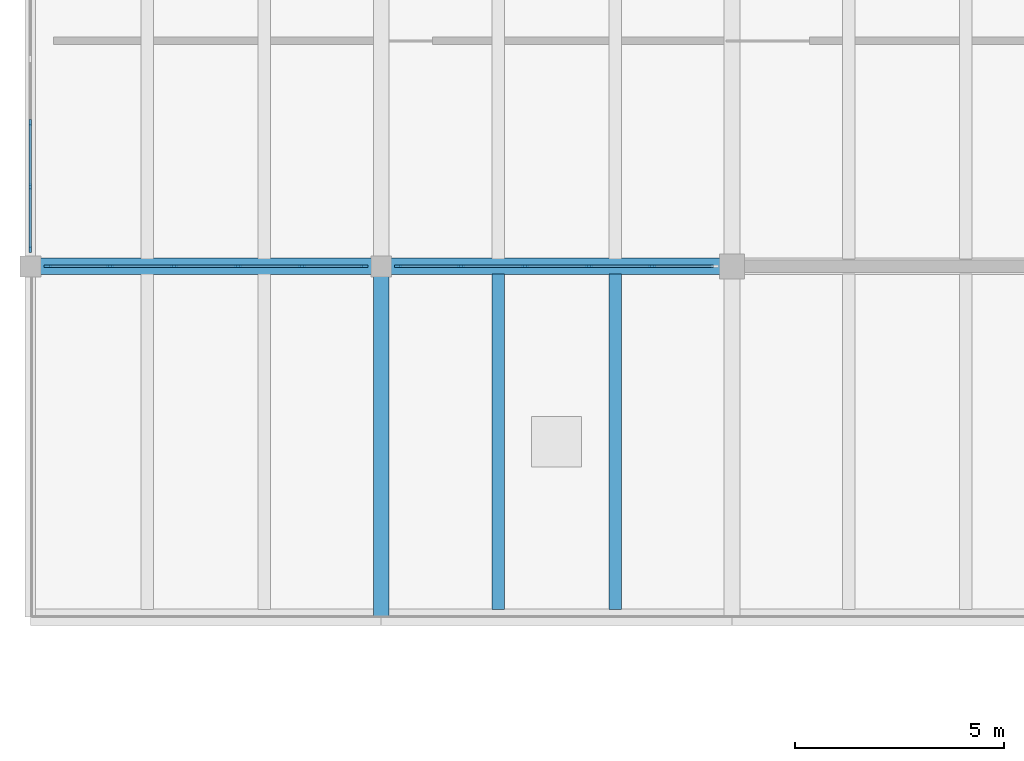
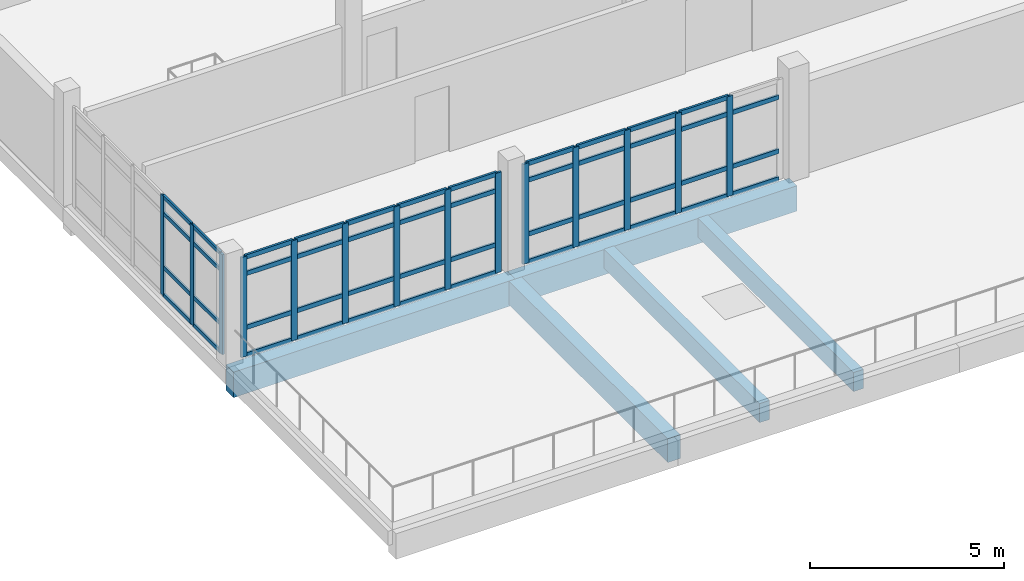
# One storey, part 8 of 50: 61 members, 5 beams, 3 elements without a shape of their own.
"""IFC4 building model written with IfcOpenShell, lengths in metres."""

from ifc_helpers import new_model, si_unit, direction, frame, origin, origin_2d, place, context, subcontext, project, spatial, rectangle, extrude, material, material_profile, profile_set, type_object, element, aggregate, save


model = new_model("IFC4")

# Units and contexts
model_context = context("Model", 3, precision=1e-05, world=origin(), true_north=direction((0.0, 1.0)))
body_context = subcontext(model_context, "Body", "Model", "MODEL_VIEW")
ifc_project = project(units=[si_unit("LENGTHUNIT", "METRE"), si_unit("AREAUNIT", "SQUARE_METRE"), si_unit("VOLUMEUNIT", "CUBIC_METRE"), si_unit("PLANEANGLEUNIT", "RADIAN"), si_unit("MASSUNIT", "GRAM", prefix="KILO")], contexts=[model_context])

# Site, building, storey
site_placement = place(None, origin())
site = spatial("IfcSite", under=ifc_project, at=site_placement, CompositionType="ELEMENT")
building_placement = place(site_placement, origin())
building = spatial("IfcBuilding", under=site, at=building_placement, Name="Cinderway Yard Community Centre", CompositionType="ELEMENT")
storey_placement = place(building_placement, frame((0.0, 0.0, 12.89990234375)))
storey = spatial("IfcBuildingStorey", under=building, at=storey_placement, Name="L03", CompositionType="ELEMENT", Elevation=12.89990234375)

# Curtain wall, members
ifc_material_1 = material(Name="Aluminium 6063-T6", Category="aluminium")
curtain_wall_type = type_object("IfcCurtainWallType", Name="ENV-CW-TYPE-32", PredefinedType="USERDEFINED", material=ifc_material_1)
curtain_wall_1_placement = place(storey_placement, origin())
curtain_wall_1 = element("IfcCurtainWall", 1, at=curtain_wall_1_placement, inside=storey, type_object=curtain_wall_type, Name="V4 West End Curtain Wall ENV-CW-L03-ST-0174", ObjectType="GLAZED CURTAIN WALL", PredefinedType="USERDEFINED")
ifc_material_profile_1 = material_profile(ifc_material_1, rectangle(XDim=0.06005859375, YDim=0.159912109375, at=origin_2d()), Name="Aluminium 6063-T6")
ifc_profile_set_1 = profile_set([ifc_material_profile_1], Name="Aluminium 6063-T6")
member_type_1 = type_object("IfcMemberType", Name="ENV-CW-MULL-150", PredefinedType="MULLION", material=ifc_profile_set_1)
member_1_placement = place(storey_placement, frame((41.60009765625, 98.81005859375, 0.0), z_axis=(0.0, 0.0, 1.0), x_axis=(-1.0, 0.0, 0.0)))
member_1 = element("IfcMember", 2, at=member_1_placement, type_object=member_type_1, Name="CW-32 mullion 1", PredefinedType="MULLION", context=body_context, shape_type="SweptSolid", body=[
    extrude(rectangle(XDim=0.06005859375, YDim=0.159912109375, at=origin_2d()), origin(), (0.0, 0.0, 1.0), 3.150146484375),
])
member_2_placement = place(storey_placement, frame((41.60009765625, 100.30810546875, 0.0), z_axis=(0.0, 0.0, 1.0), x_axis=(-1.0, 0.0, 0.0)))
member_2 = element("IfcMember", 3, at=member_2_placement, type_object=member_type_1, Name="CW-32 mullion 2", PredefinedType="MULLION", context=body_context, shape_type="SweptSolid", body=[
    extrude(rectangle(XDim=0.06005859375, YDim=0.159912109375, at=origin_2d()), origin(), (0.0, 0.0, 1.0), 3.150146484375),
])
member_3_placement = place(storey_placement, frame((41.60009765625, 101.8359375, 0.0), z_axis=(0.0, 0.0, 1.0), x_axis=(-1.0, 0.0, 0.0)))
member_3 = element("IfcMember", 4, at=member_3_placement, type_object=member_type_1, Name="CW-32 mullion 3", PredefinedType="MULLION", context=body_context, shape_type="SweptSolid", body=[
    extrude(rectangle(XDim=0.06005859375, YDim=0.159912109375, at=origin_2d()), origin(), (0.0, 0.0, 1.0), 3.150146484375),
])

curtain_wall_2_placement = place(storey_placement, origin())
curtain_wall_2 = element("IfcCurtainWall", 5, at=curtain_wall_2_placement, inside=storey, type_object=curtain_wall_type, Name="V4 Courtyard Curtain Wall ENV-CW-L03-HS-0160", ObjectType="GLAZED CURTAIN WALL", PredefinedType="USERDEFINED")
ifc_material_profile_2 = material_profile(ifc_material_1, rectangle(XDim=0.06494140625, YDim=0.179931640625, at=origin_2d()), Name="Aluminium 6063-T6")
ifc_profile_set_2 = profile_set([ifc_material_profile_2], Name="Aluminium 6063-T6")
member_type_2 = type_object("IfcMemberType", Name="ENV-CW-MULL-180", PredefinedType="MULLION", material=ifc_profile_set_2)
member_4_placement = place(storey_placement, frame((42.010009765625, 98.39990234375, 0.0), z_axis=(0.0, 0.0, 1.0), x_axis=(0.0, 1.0, 0.0)))
member_4 = element("IfcMember", 6, at=member_4_placement, type_object=member_type_2, Name="CW-32 mullion 1", PredefinedType="MULLION", context=body_context, shape_type="SweptSolid", body=[
    extrude(rectangle(XDim=0.06494140625, YDim=0.179931640625, at=origin_2d()), origin(), (0.0, 0.0, 1.0), 3.150146484375),
])
member_5_placement = place(storey_placement, frame((43.508056640625, 98.39990234375, 0.0), z_axis=(0.0, 0.0, 1.0), x_axis=(0.0, 1.0, 0.0)))
member_5 = element("IfcMember", 7, at=member_5_placement, type_object=member_type_2, Name="CW-32 mullion 2", PredefinedType="MULLION", context=body_context, shape_type="SweptSolid", body=[
    extrude(rectangle(XDim=0.06494140625, YDim=0.179931640625, at=origin_2d()), origin(), (0.0, 0.0, 1.0), 3.150146484375),
])
member_6_placement = place(storey_placement, frame((45.035888671875, 98.39990234375, 0.0), z_axis=(0.0, 0.0, 1.0), x_axis=(0.0, 1.0, 0.0)))
member_6 = element("IfcMember", 8, at=member_6_placement, type_object=member_type_2, Name="CW-32 mullion 3", PredefinedType="MULLION", context=body_context, shape_type="SweptSolid", body=[
    extrude(rectangle(XDim=0.06494140625, YDim=0.179931640625, at=origin_2d()), origin(), (0.0, 0.0, 1.0), 3.150146484375),
])
member_7_placement = place(storey_placement, frame((46.56396484375, 98.39990234375, 0.0), z_axis=(0.0, 0.0, 1.0), x_axis=(0.0, 1.0, 0.0)))
member_7 = element("IfcMember", 9, at=member_7_placement, type_object=member_type_2, Name="CW-32 mullion 4", PredefinedType="MULLION", context=body_context, shape_type="SweptSolid", body=[
    extrude(rectangle(XDim=0.06494140625, YDim=0.179931640625, at=origin_2d()), origin(), (0.0, 0.0, 1.0), 3.150146484375),
])
member_8_placement = place(storey_placement, frame((48.092041015625, 98.39990234375, 0.0), z_axis=(0.0, 0.0, 1.0), x_axis=(0.0, 1.0, 0.0)))
member_8 = element("IfcMember", 10, at=member_8_placement, type_object=member_type_2, Name="CW-32 mullion 5", PredefinedType="MULLION", context=body_context, shape_type="SweptSolid", body=[
    extrude(rectangle(XDim=0.06494140625, YDim=0.179931640625, at=origin_2d()), origin(), (0.0, 0.0, 1.0), 3.150146484375),
])
member_9_placement = place(storey_placement, frame((49.590087890625, 98.39990234375, 0.0), z_axis=(0.0, 0.0, 1.0), x_axis=(0.0, 1.0, 0.0)))
member_9 = element("IfcMember", 11, at=member_9_placement, type_object=member_type_2, Name="CW-32 mullion 6", PredefinedType="MULLION", context=body_context, shape_type="SweptSolid", body=[
    extrude(rectangle(XDim=0.06494140625, YDim=0.179931640625, at=origin_2d()), origin(), (0.0, 0.0, 1.0), 3.150146484375),
])

curtain_wall_3_placement = place(storey_placement, origin())
curtain_wall_3 = element("IfcCurtainWall", 12, at=curtain_wall_3_placement, inside=storey, type_object=curtain_wall_type, Name="V4 Courtyard Curtain Wall ENV-CW-L03-HS-0162", ObjectType="GLAZED CURTAIN WALL", PredefinedType="USERDEFINED")
member_10_placement = place(storey_placement, frame((50.409912109375, 98.39990234375, 0.0), z_axis=(0.0, 0.0, 1.0), x_axis=(0.0, 1.0, 0.0)))
member_10 = element("IfcMember", 13, at=member_10_placement, type_object=member_type_2, Name="CW-32 mullion 1", PredefinedType="MULLION", context=body_context, shape_type="SweptSolid", body=[
    extrude(rectangle(XDim=0.06494140625, YDim=0.179931640625, at=origin_2d()), origin(), (0.0, 0.0, 1.0), 3.150146484375),
])
member_11_placement = place(storey_placement, frame((51.907958984375, 98.39990234375, 0.0), z_axis=(0.0, 0.0, 1.0), x_axis=(0.0, 1.0, 0.0)))
member_11 = element("IfcMember", 14, at=member_11_placement, type_object=member_type_2, Name="CW-32 mullion 2", PredefinedType="MULLION", context=body_context, shape_type="SweptSolid", body=[
    extrude(rectangle(XDim=0.06494140625, YDim=0.179931640625, at=origin_2d()), origin(), (0.0, 0.0, 1.0), 3.150146484375),
])
member_12_placement = place(storey_placement, frame((53.43603515625, 98.39990234375, 0.0), z_axis=(0.0, 0.0, 1.0), x_axis=(0.0, 1.0, 0.0)))
member_12 = element("IfcMember", 15, at=member_12_placement, type_object=member_type_2, Name="CW-32 mullion 3", PredefinedType="MULLION", context=body_context, shape_type="SweptSolid", body=[
    extrude(rectangle(XDim=0.06494140625, YDim=0.179931640625, at=origin_2d()), origin(), (0.0, 0.0, 1.0), 3.150146484375),
])
member_13_placement = place(storey_placement, frame((54.964111328125, 98.39990234375, 0.0), z_axis=(0.0, 0.0, 1.0), x_axis=(0.0, 1.0, 0.0)))
member_13 = element("IfcMember", 16, at=member_13_placement, type_object=member_type_2, Name="CW-32 mullion 4", PredefinedType="MULLION", context=body_context, shape_type="SweptSolid", body=[
    extrude(rectangle(XDim=0.06494140625, YDim=0.179931640625, at=origin_2d()), origin(), (0.0, 0.0, 1.0), 3.150146484375),
])
member_14_placement = place(storey_placement, frame((56.491943359375, 98.39990234375, 0.0), z_axis=(0.0, 0.0, 1.0), x_axis=(0.0, 1.0, 0.0)))
member_14 = element("IfcMember", 17, at=member_14_placement, type_object=member_type_2, Name="CW-32 mullion 5", PredefinedType="MULLION", context=body_context, shape_type="SweptSolid", body=[
    extrude(rectangle(XDim=0.06494140625, YDim=0.179931640625, at=origin_2d()), origin(), (0.0, 0.0, 1.0), 3.150146484375),
])

# Member
ifc_material_profile_3 = material_profile(ifc_material_1, rectangle(XDim=0.06005859375, YDim=0.1201171875, at=origin_2d()), Name="Aluminium 6063-T6")
ifc_profile_set_3 = profile_set([ifc_material_profile_3], Name="Aluminium 6063-T6")
member_type_3 = type_object("IfcMemberType", Name="ENV-CW-TRAN-110", PredefinedType="USERDEFINED", material=ifc_profile_set_3)
member_15_placement = place(storey_placement, frame((41.60009765625, 98.840087890625, 0.030029296875), z_axis=(0.0, 1.0, 0.0), x_axis=(-1.0, 0.0, 0.0)))
member_15 = element("IfcMember", 18, at=member_15_placement, type_object=member_type_3, Name="CW-32 transom 1.1", ObjectType="TRANSOM", PredefinedType="USERDEFINED", context=body_context, shape_type="SweptSolid", body=[
    extrude(rectangle(XDim=0.06005859375, YDim=0.1201171875, at=origin_2d()), origin(), (0.0, 0.0, 1.0), 1.43798828125),
])

member_16_placement = place(storey_placement, frame((41.60009765625, 98.840087890625, 0.900146484375), z_axis=(0.0, 1.0, 0.0), x_axis=(-1.0, 0.0, 0.0)))
member_16 = element("IfcMember", 19, at=member_16_placement, type_object=member_type_3, Name="CW-32 transom 1.2", ObjectType="TRANSOM", PredefinedType="USERDEFINED", context=body_context, shape_type="SweptSolid", body=[
    extrude(rectangle(XDim=0.06005859375, YDim=0.1201171875, at=origin_2d()), origin(), (0.0, 0.0, 1.0), 1.43798828125),
])

member_17_placement = place(storey_placement, frame((41.60009765625, 98.840087890625, 2.60009765625), z_axis=(0.0, 1.0, 0.0), x_axis=(-1.0, 0.0, 0.0)))
member_17 = element("IfcMember", 20, at=member_17_placement, type_object=member_type_3, Name="CW-32 transom 1.3", ObjectType="TRANSOM", PredefinedType="USERDEFINED", context=body_context, shape_type="SweptSolid", body=[
    extrude(rectangle(XDim=0.06005859375, YDim=0.1201171875, at=origin_2d()), origin(), (0.0, 0.0, 1.0), 1.43798828125),
])

member_18_placement = place(storey_placement, frame((41.60009765625, 98.840087890625, 3.1201171875), z_axis=(0.0, 1.0, 0.0), x_axis=(-1.0, 0.0, 0.0)))
member_18 = element("IfcMember", 21, at=member_18_placement, type_object=member_type_3, Name="CW-32 transom 1.4", ObjectType="TRANSOM", PredefinedType="USERDEFINED", context=body_context, shape_type="SweptSolid", body=[
    extrude(rectangle(XDim=0.06005859375, YDim=0.1201171875, at=origin_2d()), origin(), (0.0, 0.0, 1.0), 1.43798828125),
])

member_19_placement = place(storey_placement, frame((41.60009765625, 100.337890625, 0.030029296875), z_axis=(0.0, 1.0, 0.0), x_axis=(-1.0, 0.0, 0.0)))
member_19 = element("IfcMember", 22, at=member_19_placement, type_object=member_type_3, Name="CW-32 transom 2.1", ObjectType="TRANSOM", PredefinedType="USERDEFINED", context=body_context, shape_type="SweptSolid", body=[
    extrude(rectangle(XDim=0.06005859375, YDim=0.1201171875, at=origin_2d()), origin(), (0.0, 0.0, 1.0), 1.468017578125),
])

member_20_placement = place(storey_placement, frame((41.60009765625, 100.337890625, 0.900146484375), z_axis=(0.0, 1.0, 0.0), x_axis=(-1.0, 0.0, 0.0)))
member_20 = element("IfcMember", 23, at=member_20_placement, type_object=member_type_3, Name="CW-32 transom 2.2", ObjectType="TRANSOM", PredefinedType="USERDEFINED", context=body_context, shape_type="SweptSolid", body=[
    extrude(rectangle(XDim=0.06005859375, YDim=0.1201171875, at=origin_2d()), origin(), (0.0, 0.0, 1.0), 1.468017578125),
])

member_21_placement = place(storey_placement, frame((41.60009765625, 100.337890625, 2.60009765625), z_axis=(0.0, 1.0, 0.0), x_axis=(-1.0, 0.0, 0.0)))
member_21 = element("IfcMember", 24, at=member_21_placement, type_object=member_type_3, Name="CW-32 transom 2.3", ObjectType="TRANSOM", PredefinedType="USERDEFINED", context=body_context, shape_type="SweptSolid", body=[
    extrude(rectangle(XDim=0.06005859375, YDim=0.1201171875, at=origin_2d()), origin(), (0.0, 0.0, 1.0), 1.468017578125),
])

member_22_placement = place(storey_placement, frame((41.60009765625, 100.337890625, 3.1201171875), z_axis=(0.0, 1.0, 0.0), x_axis=(-1.0, 0.0, 0.0)))
member_22 = element("IfcMember", 25, at=member_22_placement, type_object=member_type_3, Name="CW-32 transom 2.4", ObjectType="TRANSOM", PredefinedType="USERDEFINED", context=body_context, shape_type="SweptSolid", body=[
    extrude(rectangle(XDim=0.06005859375, YDim=0.1201171875, at=origin_2d()), origin(), (0.0, 0.0, 1.0), 1.468017578125),
])

aggregate(curtain_wall_1, [member_1, member_2, member_3, member_15, member_16, member_17, member_18, member_19, member_20, member_21, member_22])

ifc_material_profile_4 = material_profile(ifc_material_1, rectangle(XDim=0.06494140625, YDim=0.139892578125, at=origin_2d()), Name="Aluminium 6063-T6")
ifc_profile_set_4 = profile_set([ifc_material_profile_4], Name="Aluminium 6063-T6")
member_type_4 = type_object("IfcMemberType", Name="ENV-CW-TRAN-140", PredefinedType="USERDEFINED", material=ifc_profile_set_4)
member_23_placement = place(storey_placement, frame((42.0400390625, 98.39990234375, 0.030029296875), z_axis=(1.0, 0.0, 0.0), x_axis=(0.0, 1.0, 0.0)))
member_23 = element("IfcMember", 26, at=member_23_placement, type_object=member_type_4, Name="CW-32 transom 1.1", ObjectType="TRANSOM", PredefinedType="USERDEFINED", context=body_context, shape_type="SweptSolid", body=[
    extrude(rectangle(XDim=0.06494140625, YDim=0.139892578125, at=origin_2d()), origin(), (0.0, 0.0, 1.0), 1.43798828125),
])

member_24_placement = place(storey_placement, frame((42.0400390625, 98.39990234375, 0.900146484375), z_axis=(1.0, 0.0, 0.0), x_axis=(0.0, 1.0, 0.0)))
member_24 = element("IfcMember", 27, at=member_24_placement, type_object=member_type_4, Name="CW-32 transom 1.2", ObjectType="TRANSOM", PredefinedType="USERDEFINED", context=body_context, shape_type="SweptSolid", body=[
    extrude(rectangle(XDim=0.06494140625, YDim=0.139892578125, at=origin_2d()), origin(), (0.0, 0.0, 1.0), 1.43798828125),
])

member_25_placement = place(storey_placement, frame((42.0400390625, 98.39990234375, 2.60009765625), z_axis=(1.0, 0.0, 0.0), x_axis=(0.0, 1.0, 0.0)))
member_25 = element("IfcMember", 28, at=member_25_placement, type_object=member_type_4, Name="CW-32 transom 1.3", ObjectType="TRANSOM", PredefinedType="USERDEFINED", context=body_context, shape_type="SweptSolid", body=[
    extrude(rectangle(XDim=0.06494140625, YDim=0.139892578125, at=origin_2d()), origin(), (0.0, 0.0, 1.0), 1.43798828125),
])

member_26_placement = place(storey_placement, frame((42.0400390625, 98.39990234375, 3.1201171875), z_axis=(1.0, 0.0, 0.0), x_axis=(0.0, 1.0, 0.0)))
member_26 = element("IfcMember", 29, at=member_26_placement, type_object=member_type_4, Name="CW-32 transom 1.4", ObjectType="TRANSOM", PredefinedType="USERDEFINED", context=body_context, shape_type="SweptSolid", body=[
    extrude(rectangle(XDim=0.06494140625, YDim=0.139892578125, at=origin_2d()), origin(), (0.0, 0.0, 1.0), 1.43798828125),
])

member_27_placement = place(storey_placement, frame((43.5380859375, 98.39990234375, 0.030029296875), z_axis=(1.0, 0.0, 0.0), x_axis=(0.0, 1.0, 0.0)))
member_27 = element("IfcMember", 30, at=member_27_placement, type_object=member_type_4, Name="CW-32 transom 2.1", ObjectType="TRANSOM", PredefinedType="USERDEFINED", context=body_context, shape_type="SweptSolid", body=[
    extrude(rectangle(XDim=0.06494140625, YDim=0.139892578125, at=origin_2d()), origin(), (0.0, 0.0, 1.0), 1.468017578125),
])

member_28_placement = place(storey_placement, frame((43.5380859375, 98.39990234375, 0.900146484375), z_axis=(1.0, 0.0, 0.0), x_axis=(0.0, 1.0, 0.0)))
member_28 = element("IfcMember", 31, at=member_28_placement, type_object=member_type_4, Name="CW-32 transom 2.2", ObjectType="TRANSOM", PredefinedType="USERDEFINED", context=body_context, shape_type="SweptSolid", body=[
    extrude(rectangle(XDim=0.06494140625, YDim=0.139892578125, at=origin_2d()), origin(), (0.0, 0.0, 1.0), 1.468017578125),
])

member_29_placement = place(storey_placement, frame((43.5380859375, 98.39990234375, 2.60009765625), z_axis=(1.0, 0.0, 0.0), x_axis=(0.0, 1.0, 0.0)))
member_29 = element("IfcMember", 32, at=member_29_placement, type_object=member_type_4, Name="CW-32 transom 2.3", ObjectType="TRANSOM", PredefinedType="USERDEFINED", context=body_context, shape_type="SweptSolid", body=[
    extrude(rectangle(XDim=0.06494140625, YDim=0.139892578125, at=origin_2d()), origin(), (0.0, 0.0, 1.0), 1.468017578125),
])

member_30_placement = place(storey_placement, frame((43.5380859375, 98.39990234375, 3.1201171875), z_axis=(1.0, 0.0, 0.0), x_axis=(0.0, 1.0, 0.0)))
member_30 = element("IfcMember", 33, at=member_30_placement, type_object=member_type_4, Name="CW-32 transom 2.4", ObjectType="TRANSOM", PredefinedType="USERDEFINED", context=body_context, shape_type="SweptSolid", body=[
    extrude(rectangle(XDim=0.06494140625, YDim=0.139892578125, at=origin_2d()), origin(), (0.0, 0.0, 1.0), 1.468017578125),
])

member_31_placement = place(storey_placement, frame((45.06591796875, 98.39990234375, 0.030029296875), z_axis=(1.0, 0.0, 0.0), x_axis=(0.0, 1.0, 0.0)))
member_31 = element("IfcMember", 34, at=member_31_placement, type_object=member_type_4, Name="CW-32 transom 3.1", ObjectType="TRANSOM", PredefinedType="USERDEFINED", context=body_context, shape_type="SweptSolid", body=[
    extrude(rectangle(XDim=0.06494140625, YDim=0.139892578125, at=origin_2d()), origin(), (0.0, 0.0, 1.0), 1.468017578125),
])

member_32_placement = place(storey_placement, frame((45.06591796875, 98.39990234375, 0.900146484375), z_axis=(1.0, 0.0, 0.0), x_axis=(0.0, 1.0, 0.0)))
member_32 = element("IfcMember", 35, at=member_32_placement, type_object=member_type_4, Name="CW-32 transom 3.2", ObjectType="TRANSOM", PredefinedType="USERDEFINED", context=body_context, shape_type="SweptSolid", body=[
    extrude(rectangle(XDim=0.06494140625, YDim=0.139892578125, at=origin_2d()), origin(), (0.0, 0.0, 1.0), 1.468017578125),
])

member_33_placement = place(storey_placement, frame((45.06591796875, 98.39990234375, 2.60009765625), z_axis=(1.0, 0.0, 0.0), x_axis=(0.0, 1.0, 0.0)))
member_33 = element("IfcMember", 36, at=member_33_placement, type_object=member_type_4, Name="CW-32 transom 3.3", ObjectType="TRANSOM", PredefinedType="USERDEFINED", context=body_context, shape_type="SweptSolid", body=[
    extrude(rectangle(XDim=0.06494140625, YDim=0.139892578125, at=origin_2d()), origin(), (0.0, 0.0, 1.0), 1.468017578125),
])

member_34_placement = place(storey_placement, frame((45.06591796875, 98.39990234375, 3.1201171875), z_axis=(1.0, 0.0, 0.0), x_axis=(0.0, 1.0, 0.0)))
member_34 = element("IfcMember", 37, at=member_34_placement, type_object=member_type_4, Name="CW-32 transom 3.4", ObjectType="TRANSOM", PredefinedType="USERDEFINED", context=body_context, shape_type="SweptSolid", body=[
    extrude(rectangle(XDim=0.06494140625, YDim=0.139892578125, at=origin_2d()), origin(), (0.0, 0.0, 1.0), 1.468017578125),
])

member_35_placement = place(storey_placement, frame((46.593994140625, 98.39990234375, 0.030029296875), z_axis=(1.0, 0.0, 0.0), x_axis=(0.0, 1.0, 0.0)))
member_35 = element("IfcMember", 38, at=member_35_placement, type_object=member_type_4, Name="CW-32 transom 4.1", ObjectType="TRANSOM", PredefinedType="USERDEFINED", context=body_context, shape_type="SweptSolid", body=[
    extrude(rectangle(XDim=0.06494140625, YDim=0.139892578125, at=origin_2d()), origin(), (0.0, 0.0, 1.0), 1.468017578125),
])

member_36_placement = place(storey_placement, frame((46.593994140625, 98.39990234375, 0.900146484375), z_axis=(1.0, 0.0, 0.0), x_axis=(0.0, 1.0, 0.0)))
member_36 = element("IfcMember", 39, at=member_36_placement, type_object=member_type_4, Name="CW-32 transom 4.2", ObjectType="TRANSOM", PredefinedType="USERDEFINED", context=body_context, shape_type="SweptSolid", body=[
    extrude(rectangle(XDim=0.06494140625, YDim=0.139892578125, at=origin_2d()), origin(), (0.0, 0.0, 1.0), 1.468017578125),
])

member_37_placement = place(storey_placement, frame((46.593994140625, 98.39990234375, 2.60009765625), z_axis=(1.0, 0.0, 0.0), x_axis=(0.0, 1.0, 0.0)))
member_37 = element("IfcMember", 40, at=member_37_placement, type_object=member_type_4, Name="CW-32 transom 4.3", ObjectType="TRANSOM", PredefinedType="USERDEFINED", context=body_context, shape_type="SweptSolid", body=[
    extrude(rectangle(XDim=0.06494140625, YDim=0.139892578125, at=origin_2d()), origin(), (0.0, 0.0, 1.0), 1.468017578125),
])

member_38_placement = place(storey_placement, frame((46.593994140625, 98.39990234375, 3.1201171875), z_axis=(1.0, 0.0, 0.0), x_axis=(0.0, 1.0, 0.0)))
member_38 = element("IfcMember", 41, at=member_38_placement, type_object=member_type_4, Name="CW-32 transom 4.4", ObjectType="TRANSOM", PredefinedType="USERDEFINED", context=body_context, shape_type="SweptSolid", body=[
    extrude(rectangle(XDim=0.06494140625, YDim=0.139892578125, at=origin_2d()), origin(), (0.0, 0.0, 1.0), 1.468017578125),
])

member_39_placement = place(storey_placement, frame((48.1220703125, 98.39990234375, 0.030029296875), z_axis=(1.0, 0.0, 0.0), x_axis=(0.0, 1.0, 0.0)))
member_39 = element("IfcMember", 42, at=member_39_placement, type_object=member_type_4, Name="CW-32 transom 5.1", ObjectType="TRANSOM", PredefinedType="USERDEFINED", context=body_context, shape_type="SweptSolid", body=[
    extrude(rectangle(XDim=0.06494140625, YDim=0.139892578125, at=origin_2d()), origin(), (0.0, 0.0, 1.0), 1.43798828125),
])

member_40_placement = place(storey_placement, frame((48.1220703125, 98.39990234375, 0.900146484375), z_axis=(1.0, 0.0, 0.0), x_axis=(0.0, 1.0, 0.0)))
member_40 = element("IfcMember", 43, at=member_40_placement, type_object=member_type_4, Name="CW-32 transom 5.2", ObjectType="TRANSOM", PredefinedType="USERDEFINED", context=body_context, shape_type="SweptSolid", body=[
    extrude(rectangle(XDim=0.06494140625, YDim=0.139892578125, at=origin_2d()), origin(), (0.0, 0.0, 1.0), 1.43798828125),
])

member_41_placement = place(storey_placement, frame((48.1220703125, 98.39990234375, 2.60009765625), z_axis=(1.0, 0.0, 0.0), x_axis=(0.0, 1.0, 0.0)))
member_41 = element("IfcMember", 44, at=member_41_placement, type_object=member_type_4, Name="CW-32 transom 5.3", ObjectType="TRANSOM", PredefinedType="USERDEFINED", context=body_context, shape_type="SweptSolid", body=[
    extrude(rectangle(XDim=0.06494140625, YDim=0.139892578125, at=origin_2d()), origin(), (0.0, 0.0, 1.0), 1.43798828125),
])

member_42_placement = place(storey_placement, frame((48.1220703125, 98.39990234375, 3.1201171875), z_axis=(1.0, 0.0, 0.0), x_axis=(0.0, 1.0, 0.0)))
member_42 = element("IfcMember", 45, at=member_42_placement, type_object=member_type_4, Name="CW-32 transom 5.4", ObjectType="TRANSOM", PredefinedType="USERDEFINED", context=body_context, shape_type="SweptSolid", body=[
    extrude(rectangle(XDim=0.06494140625, YDim=0.139892578125, at=origin_2d()), origin(), (0.0, 0.0, 1.0), 1.43798828125),
])

aggregate(curtain_wall_2, [member_4, member_5, member_6, member_7, member_8, member_9, member_23, member_24, member_25, member_26, member_27, member_28, member_29, member_30, member_31, member_32, member_33, member_34, member_35, member_36, member_37, member_38, member_39, member_40, member_41, member_42])

member_43_placement = place(storey_placement, frame((50.43994140625, 98.39990234375, 0.030029296875), z_axis=(1.0, 0.0, 0.0), x_axis=(0.0, 1.0, 0.0)))
member_43 = element("IfcMember", 46, at=member_43_placement, type_object=member_type_4, Name="CW-32 transom 1.1", ObjectType="TRANSOM", PredefinedType="USERDEFINED", context=body_context, shape_type="SweptSolid", body=[
    extrude(rectangle(XDim=0.06494140625, YDim=0.139892578125, at=origin_2d()), origin(), (0.0, 0.0, 1.0), 1.43798828125),
])

member_44_placement = place(storey_placement, frame((50.43994140625, 98.39990234375, 0.900146484375), z_axis=(1.0, 0.0, 0.0), x_axis=(0.0, 1.0, 0.0)))
member_44 = element("IfcMember", 47, at=member_44_placement, type_object=member_type_4, Name="CW-32 transom 1.2", ObjectType="TRANSOM", PredefinedType="USERDEFINED", context=body_context, shape_type="SweptSolid", body=[
    extrude(rectangle(XDim=0.06494140625, YDim=0.139892578125, at=origin_2d()), origin(), (0.0, 0.0, 1.0), 1.43798828125),
])

member_45_placement = place(storey_placement, frame((50.43994140625, 98.39990234375, 2.60009765625), z_axis=(1.0, 0.0, 0.0), x_axis=(0.0, 1.0, 0.0)))
member_45 = element("IfcMember", 48, at=member_45_placement, type_object=member_type_4, Name="CW-32 transom 1.3", ObjectType="TRANSOM", PredefinedType="USERDEFINED", context=body_context, shape_type="SweptSolid", body=[
    extrude(rectangle(XDim=0.06494140625, YDim=0.139892578125, at=origin_2d()), origin(), (0.0, 0.0, 1.0), 1.43798828125),
])

member_46_placement = place(storey_placement, frame((50.43994140625, 98.39990234375, 3.1201171875), z_axis=(1.0, 0.0, 0.0), x_axis=(0.0, 1.0, 0.0)))
member_46 = element("IfcMember", 49, at=member_46_placement, type_object=member_type_4, Name="CW-32 transom 1.4", ObjectType="TRANSOM", PredefinedType="USERDEFINED", context=body_context, shape_type="SweptSolid", body=[
    extrude(rectangle(XDim=0.06494140625, YDim=0.139892578125, at=origin_2d()), origin(), (0.0, 0.0, 1.0), 1.43798828125),
])

member_47_placement = place(storey_placement, frame((51.93798828125, 98.39990234375, 0.030029296875), z_axis=(1.0, 0.0, 0.0), x_axis=(0.0, 1.0, 0.0)))
member_47 = element("IfcMember", 50, at=member_47_placement, type_object=member_type_4, Name="CW-32 transom 2.1", ObjectType="TRANSOM", PredefinedType="USERDEFINED", context=body_context, shape_type="SweptSolid", body=[
    extrude(rectangle(XDim=0.06494140625, YDim=0.139892578125, at=origin_2d()), origin(), (0.0, 0.0, 1.0), 1.468017578125),
])

member_48_placement = place(storey_placement, frame((51.93798828125, 98.39990234375, 0.900146484375), z_axis=(1.0, 0.0, 0.0), x_axis=(0.0, 1.0, 0.0)))
member_48 = element("IfcMember", 51, at=member_48_placement, type_object=member_type_4, Name="CW-32 transom 2.2", ObjectType="TRANSOM", PredefinedType="USERDEFINED", context=body_context, shape_type="SweptSolid", body=[
    extrude(rectangle(XDim=0.06494140625, YDim=0.139892578125, at=origin_2d()), origin(), (0.0, 0.0, 1.0), 1.468017578125),
])

member_49_placement = place(storey_placement, frame((51.93798828125, 98.39990234375, 2.60009765625), z_axis=(1.0, 0.0, 0.0), x_axis=(0.0, 1.0, 0.0)))
member_49 = element("IfcMember", 52, at=member_49_placement, type_object=member_type_4, Name="CW-32 transom 2.3", ObjectType="TRANSOM", PredefinedType="USERDEFINED", context=body_context, shape_type="SweptSolid", body=[
    extrude(rectangle(XDim=0.06494140625, YDim=0.139892578125, at=origin_2d()), origin(), (0.0, 0.0, 1.0), 1.468017578125),
])

member_50_placement = place(storey_placement, frame((51.93798828125, 98.39990234375, 3.1201171875), z_axis=(1.0, 0.0, 0.0), x_axis=(0.0, 1.0, 0.0)))
member_50 = element("IfcMember", 53, at=member_50_placement, type_object=member_type_4, Name="CW-32 transom 2.4", ObjectType="TRANSOM", PredefinedType="USERDEFINED", context=body_context, shape_type="SweptSolid", body=[
    extrude(rectangle(XDim=0.06494140625, YDim=0.139892578125, at=origin_2d()), origin(), (0.0, 0.0, 1.0), 1.468017578125),
])

member_51_placement = place(storey_placement, frame((53.466064453125, 98.39990234375, 0.030029296875), z_axis=(1.0, 0.0, 0.0), x_axis=(0.0, 1.0, 0.0)))
member_51 = element("IfcMember", 54, at=member_51_placement, type_object=member_type_4, Name="CW-32 transom 3.1", ObjectType="TRANSOM", PredefinedType="USERDEFINED", context=body_context, shape_type="SweptSolid", body=[
    extrude(rectangle(XDim=0.06494140625, YDim=0.139892578125, at=origin_2d()), origin(), (0.0, 0.0, 1.0), 1.468017578125),
])

member_52_placement = place(storey_placement, frame((53.466064453125, 98.39990234375, 0.900146484375), z_axis=(1.0, 0.0, 0.0), x_axis=(0.0, 1.0, 0.0)))
member_52 = element("IfcMember", 55, at=member_52_placement, type_object=member_type_4, Name="CW-32 transom 3.2", ObjectType="TRANSOM", PredefinedType="USERDEFINED", context=body_context, shape_type="SweptSolid", body=[
    extrude(rectangle(XDim=0.06494140625, YDim=0.139892578125, at=origin_2d()), origin(), (0.0, 0.0, 1.0), 1.468017578125),
])

member_53_placement = place(storey_placement, frame((53.466064453125, 98.39990234375, 2.60009765625), z_axis=(1.0, 0.0, 0.0), x_axis=(0.0, 1.0, 0.0)))
member_53 = element("IfcMember", 56, at=member_53_placement, type_object=member_type_4, Name="CW-32 transom 3.3", ObjectType="TRANSOM", PredefinedType="USERDEFINED", context=body_context, shape_type="SweptSolid", body=[
    extrude(rectangle(XDim=0.06494140625, YDim=0.139892578125, at=origin_2d()), origin(), (0.0, 0.0, 1.0), 1.468017578125),
])

member_54_placement = place(storey_placement, frame((53.466064453125, 98.39990234375, 3.1201171875), z_axis=(1.0, 0.0, 0.0), x_axis=(0.0, 1.0, 0.0)))
member_54 = element("IfcMember", 57, at=member_54_placement, type_object=member_type_4, Name="CW-32 transom 3.4", ObjectType="TRANSOM", PredefinedType="USERDEFINED", context=body_context, shape_type="SweptSolid", body=[
    extrude(rectangle(XDim=0.06494140625, YDim=0.139892578125, at=origin_2d()), origin(), (0.0, 0.0, 1.0), 1.468017578125),
])

member_55_placement = place(storey_placement, frame((54.993896484375, 98.39990234375, 0.030029296875), z_axis=(1.0, 0.0, 0.0), x_axis=(0.0, 1.0, 0.0)))
member_55 = element("IfcMember", 58, at=member_55_placement, type_object=member_type_4, Name="CW-32 transom 4.1", ObjectType="TRANSOM", PredefinedType="USERDEFINED", context=body_context, shape_type="SweptSolid", body=[
    extrude(rectangle(XDim=0.06494140625, YDim=0.139892578125, at=origin_2d()), origin(), (0.0, 0.0, 1.0), 1.468017578125),
])

member_56_placement = place(storey_placement, frame((54.993896484375, 98.39990234375, 0.900146484375), z_axis=(1.0, 0.0, 0.0), x_axis=(0.0, 1.0, 0.0)))
member_56 = element("IfcMember", 59, at=member_56_placement, type_object=member_type_4, Name="CW-32 transom 4.2", ObjectType="TRANSOM", PredefinedType="USERDEFINED", context=body_context, shape_type="SweptSolid", body=[
    extrude(rectangle(XDim=0.06494140625, YDim=0.139892578125, at=origin_2d()), origin(), (0.0, 0.0, 1.0), 1.468017578125),
])

member_57_placement = place(storey_placement, frame((54.993896484375, 98.39990234375, 2.60009765625), z_axis=(1.0, 0.0, 0.0), x_axis=(0.0, 1.0, 0.0)))
member_57 = element("IfcMember", 60, at=member_57_placement, type_object=member_type_4, Name="CW-32 transom 4.3", ObjectType="TRANSOM", PredefinedType="USERDEFINED", context=body_context, shape_type="SweptSolid", body=[
    extrude(rectangle(XDim=0.06494140625, YDim=0.139892578125, at=origin_2d()), origin(), (0.0, 0.0, 1.0), 1.468017578125),
])

member_58_placement = place(storey_placement, frame((54.993896484375, 98.39990234375, 3.1201171875), z_axis=(1.0, 0.0, 0.0), x_axis=(0.0, 1.0, 0.0)))
member_58 = element("IfcMember", 61, at=member_58_placement, type_object=member_type_4, Name="CW-32 transom 4.4", ObjectType="TRANSOM", PredefinedType="USERDEFINED", context=body_context, shape_type="SweptSolid", body=[
    extrude(rectangle(XDim=0.06494140625, YDim=0.139892578125, at=origin_2d()), origin(), (0.0, 0.0, 1.0), 1.468017578125),
])

member_59_placement = place(storey_placement, frame((56.52197265625, 98.39990234375, 0.030029296875), z_axis=(1.0, 0.0, 0.0), x_axis=(0.0, 1.0, 0.0)))
member_59 = element("IfcMember", 62, at=member_59_placement, type_object=member_type_4, Name="CW-32 transom 5.1", ObjectType="TRANSOM", PredefinedType="USERDEFINED", context=body_context, shape_type="SweptSolid", body=[
    extrude(rectangle(XDim=0.06494140625, YDim=0.139892578125, at=origin_2d()), origin(), (0.0, 0.0, 1.0), 1.43798828125),
])

member_60_placement = place(storey_placement, frame((56.52197265625, 98.39990234375, 0.900146484375), z_axis=(1.0, 0.0, 0.0), x_axis=(0.0, 1.0, 0.0)))
member_60 = element("IfcMember", 63, at=member_60_placement, type_object=member_type_4, Name="CW-32 transom 5.2", ObjectType="TRANSOM", PredefinedType="USERDEFINED", context=body_context, shape_type="SweptSolid", body=[
    extrude(rectangle(XDim=0.06494140625, YDim=0.139892578125, at=origin_2d()), origin(), (0.0, 0.0, 1.0), 1.43798828125),
])

member_61_placement = place(storey_placement, frame((56.52197265625, 98.39990234375, 2.60009765625), z_axis=(1.0, 0.0, 0.0), x_axis=(0.0, 1.0, 0.0)))
member_61 = element("IfcMember", 64, at=member_61_placement, type_object=member_type_4, Name="CW-32 transom 5.3", ObjectType="TRANSOM", PredefinedType="USERDEFINED", context=body_context, shape_type="SweptSolid", body=[
    extrude(rectangle(XDim=0.06494140625, YDim=0.139892578125, at=origin_2d()), origin(), (0.0, 0.0, 1.0), 1.43798828125),
])

aggregate(curtain_wall_3, [member_10, member_11, member_12, member_13, member_14, member_43, member_44, member_45, member_46, member_47, member_48, member_49, member_50, member_51, member_52, member_53, member_54, member_55, member_56, member_57, member_58, member_59, member_60, member_61])

# Beams
ifc_material_2 = material(Name="Concrete C35/45", Category="concrete")
ifc_material_profile_5 = material_profile(ifc_material_2, rectangle(XDim=0.300048828125, YDim=0.60009765625, at=origin_2d()), Name="Concrete C35/45")
ifc_profile_set_5 = profile_set([ifc_material_profile_5], Name="Concrete C35/45")
beam_type_1 = type_object("IfcBeamType", Name="STR-BM-RC300X600", PredefinedType="JOIST", material=ifc_profile_set_5)
for number, where, z_axis, x_axis, name in (
    (65, (52.800048828125, 90.181884765625, -0.539794921875), (0.0, 1.0, 0.0), (-1.0, 0.0, 0.0), "Secondary joist STR-BM-L03-BJ02-0756"),
    (66, (55.60009765625, 90.181884765625, -0.539794921875), (0.0, 1.0, 0.0), (-1.0, 0.0, 0.0), "Secondary joist STR-BM-L03-BJ02-0757"),
):
    element("IfcBeam", number, at=place(storey_placement, frame(where, z_axis=z_axis, x_axis=x_axis)), inside=storey, type_object=beam_type_1, Name=name, PredefinedType="JOIST", context=body_context, shape_type="SweptSolid", body=[
        extrude(rectangle(XDim=0.300048828125, YDim=0.60009765625, at=origin_2d()), origin(), (0.0, 0.0, 1.0), 8.0361328125),
    ])
ifc_material_profile_6 = material_profile(ifc_material_2, rectangle(XDim=0.3798828125, YDim=0.75, at=origin_2d()), Name="Concrete C35/45")
ifc_profile_set_6 = profile_set([ifc_material_profile_6], Name="Concrete C35/45")
beam_type_2 = type_object("IfcBeamType", Name="STR-BM-RC380X750", PredefinedType="BEAM", material=ifc_profile_set_6)
beam_placement = place(storey_placement, frame((50.0, 90.0, -0.614990234375), z_axis=(0.0, 1.0, 0.0), x_axis=(-1.0, 0.0, 0.0)))
element("IfcBeam", 67, at=beam_placement, inside=storey, type_object=beam_type_2, Name="Transverse girder STR-BM-L03-BG06-0717", PredefinedType="BEAM", context=body_context, shape_type="SweptSolid", body=[
    extrude(rectangle(XDim=0.3798828125, YDim=0.75, at=origin_2d()), origin(), (0.0, 0.0, 1.0), 8.39990234375),
])
ifc_material_3 = material(Name="Concrete C40/50", Category="concrete")
ifc_material_profile_7 = material_profile(ifc_material_3, rectangle(XDim=0.39990234375, YDim=0.800048828125, at=origin_2d()), Name="Concrete C40/50")
ifc_profile_set_7 = profile_set([ifc_material_profile_7], Name="Concrete C40/50")
beam_type_3 = type_object("IfcBeamType", Name="STR-BM-RC400X800", PredefinedType="BEAM", material=ifc_profile_set_7)
for number, where, z_axis, x_axis, name in (
    (68, (41.60009765625, 98.39990234375, -0.639892578125), (1.0, 0.0, 0.0), (0.0, 1.0, 0.0), "Primary girder STR-BM-L03-BG05-0681"),
    (69, (50.0, 98.39990234375, -0.639892578125), (1.0, 0.0, 0.0), (0.0, 1.0, 0.0), "Primary girder STR-BM-L03-BG05-0682"),
):
    element("IfcBeam", number, at=place(storey_placement, frame(where, z_axis=z_axis, x_axis=x_axis)), inside=storey, type_object=beam_type_3, Name=name, PredefinedType="BEAM", context=body_context, shape_type="SweptSolid", body=[
        extrude(rectangle(XDim=0.39990234375, YDim=0.800048828125, at=origin_2d()), origin(), (0.0, 0.0, 1.0), 8.39990234375),
    ])

save(model, "model.ifc")
